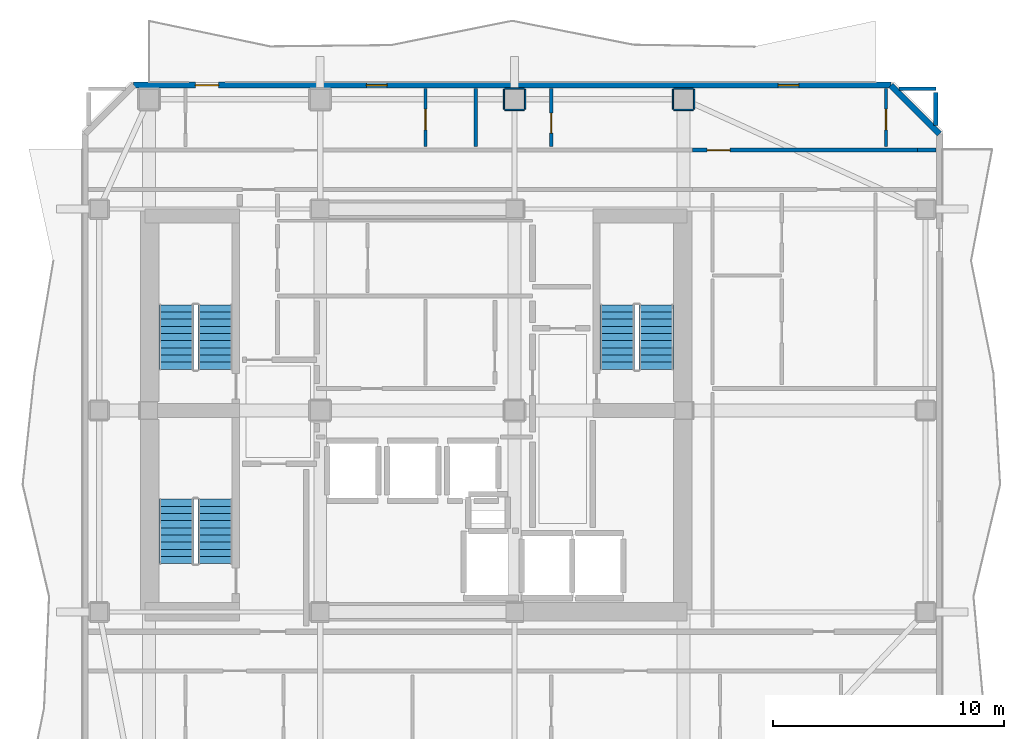
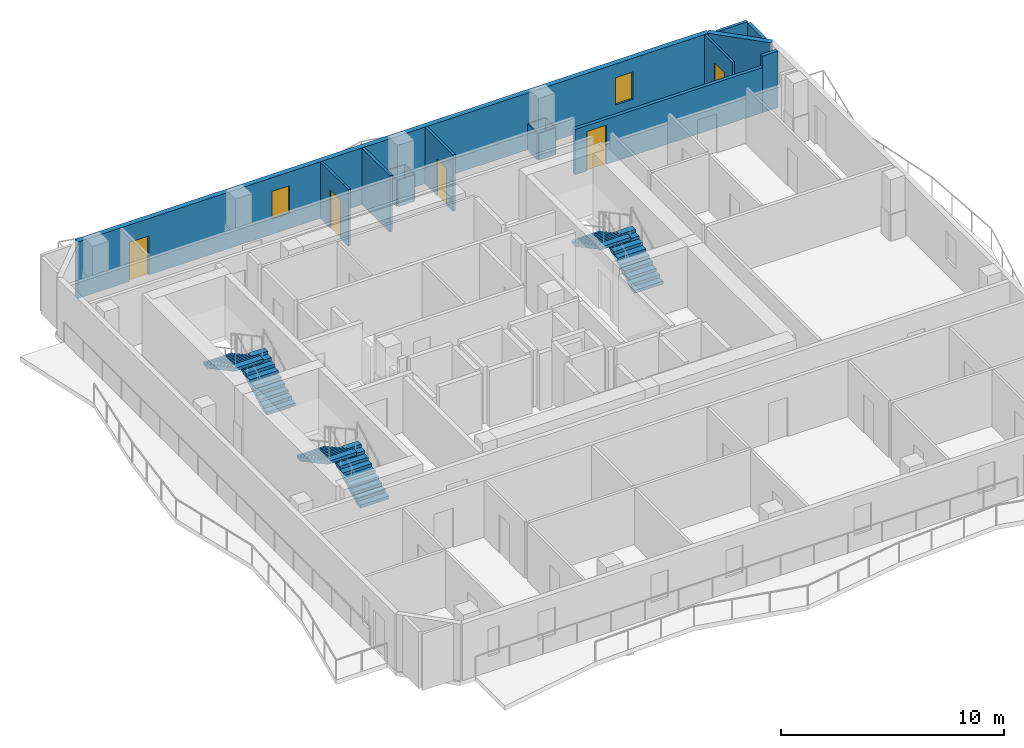
# One storey, part 6 of 9: 18 walls, 6 stair flights, 5 doors, 2 windows, 7 openings, 3 elements without a shape of their own.
"""IFC4 building model written with IfcOpenShell, lengths in metres."""

from ifc_helpers import new_model, si_unit, direction, frame, frame_2d, origin, place, context, subcontext, project, spatial, polyline, rectangle, outline, extrude, material, layer, layer_set, type_object, element, fill, aggregate, save


model = new_model("IFC4")

# Units and contexts
model_context = context("Model", 3, precision=1e-05, world=origin(), true_north=direction((0.0, 1.0)))
body_context = subcontext(model_context, "Body", "Model", "MODEL_VIEW")
ifc_project = project(units=[si_unit("LENGTHUNIT", "METRE"), si_unit("AREAUNIT", "SQUARE_METRE"), si_unit("VOLUMEUNIT", "CUBIC_METRE"), si_unit("PLANEANGLEUNIT", "RADIAN"), si_unit("MASSUNIT", "GRAM", prefix="KILO")], contexts=[model_context])

# Site, building, storey
site_placement = place(None, origin())
site = spatial("IfcSite", under=ifc_project, at=site_placement, CompositionType="ELEMENT")
building_placement = place(site_placement, origin())
building = spatial("IfcBuilding", under=site, at=building_placement, Name="Solanera Arch Residences", CompositionType="ELEMENT")
storey_placement = place(building_placement, frame((0.0, 0.0, 220.0400390625)))
storey = spatial("IfcBuildingStorey", under=building, at=storey_placement, Name="L64", CompositionType="ELEMENT", Elevation=220.0400390625)

# Walls
ifc_material_1 = material(Name="Fire-Rated Gypsum Stud Partition", Category="gypsum")
ifc_layer_1 = layer(ifc_material_1, 0.06005859375)
ifc_layer_set_1 = layer_set([ifc_layer_1], Name="Fire-Rated Gypsum Stud Partition")
wall_type_1 = type_object("IfcWallType", Name="Column Acoustic Furring Wall 60", PredefinedType="PARTITIONING", material=ifc_layer_set_1)
for number, where, z_axis, x_axis, name in (
    (1, (28.77490234375, 43.693115234375, 0.0), (0.0, 0.0, 1.0), (1.0, 0.0, 0.0), "L64 Column Furring 14S"),
    (2, (28.77490234375, 44.60693359375, 0.0), (0.0, 0.0, 1.0), (1.0, 0.0, 0.0), "L64 Column Furring 14N"),
):
    element("IfcWall", number, at=place(storey_placement, frame(where, z_axis=z_axis, x_axis=x_axis)), inside=storey, type_object=wall_type_1, Name=name, PredefinedType="PARTITIONING", context=body_context, shape_type="SweptSolid", body=[
        extrude(rectangle(XDim=0.85009765625, YDim=0.06005859375, at=frame_2d((0.425048828125, 0.0))), origin(), (0.0, 0.0, 1.0), 1.449951171875),
    ])
for number, where, z_axis, x_axis, name in (
    (3, (28.742919921875, 43.72509765625, 0.0), (0.0, 0.0, 1.0), (0.0, 1.0, 0.0), "L64 Column Furring 14W"),
    (4, (29.656982421875, 43.72509765625, 0.0), (0.0, 0.0, 1.0), (0.0, 1.0, 0.0), "L64 Column Furring 14E"),
):
    element("IfcWall", number, at=place(storey_placement, frame(where, z_axis=z_axis, x_axis=x_axis)), inside=storey, type_object=wall_type_1, Name=name, PredefinedType="PARTITIONING", context=body_context, shape_type="SweptSolid", body=[
        extrude(rectangle(XDim=0.849853515625, YDim=0.06005859375, at=frame_2d((0.4248046875, 0.0))), origin(), (0.0, 0.0, 1.0), 1.449951171875),
    ])
for number, where, z_axis, x_axis, name in (
    (5, (36.074951171875, 43.693115234375, 0.0), (0.0, 0.0, 1.0), (1.0, 0.0, 0.0), "L64 Column Furring 16S"),
    (6, (36.074951171875, 44.60693359375, 0.0), (0.0, 0.0, 1.0), (1.0, 0.0, 0.0), "L64 Column Furring 16N"),
):
    element("IfcWall", number, at=place(storey_placement, frame(where, z_axis=z_axis, x_axis=x_axis)), inside=storey, type_object=wall_type_1, Name=name, PredefinedType="PARTITIONING", context=body_context, shape_type="SweptSolid", body=[
        extrude(rectangle(XDim=0.85009765625, YDim=0.06005859375, at=frame_2d((0.425048828125, 0.0))), origin(), (0.0, 0.0, 1.0), 1.449951171875),
    ])
for number, where, z_axis, x_axis, name in (
    (7, (36.04296875, 43.72509765625, 0.0), (0.0, 0.0, 1.0), (0.0, 1.0, 0.0), "L64 Column Furring 16W"),
    (8, (36.95703125, 43.72509765625, 0.0), (0.0, 0.0, 1.0), (0.0, 1.0, 0.0), "L64 Column Furring 16E"),
):
    element("IfcWall", number, at=place(storey_placement, frame(where, z_axis=z_axis, x_axis=x_axis)), inside=storey, type_object=wall_type_1, Name=name, PredefinedType="PARTITIONING", context=body_context, shape_type="SweptSolid", body=[
        extrude(rectangle(XDim=0.849853515625, YDim=0.06005859375, at=frame_2d((0.4248046875, 0.0))), origin(), (0.0, 0.0, 1.0), 1.449951171875),
    ])

# Wall, opening, door
ifc_material_2 = material(Name="Autoclaved Aerated Concrete Blockwork", Category="masonry")
ifc_layer_2 = layer(ifc_material_2, 0.179931640625)
ifc_layer_set_2 = layer_set([ifc_layer_2], Name="Autoclaved Aerated Concrete Blockwork")
wall_type_2 = type_object("IfcWallType", Name="Corridor Fire Partition 180", PredefinedType="PARTITIONING", material=ifc_layer_set_2)
wall_1_placement = place(storey_placement, frame((36.888916015625, 41.949951171875, 0.0), z_axis=(0.0, 0.0, 1.0), x_axis=(1.0, 0.0, 0.0)))
wall_1 = element("IfcWall", 9, at=wall_1_placement, inside=storey, type_object=wall_type_2, Name="L64 Interior Partition H13 2", PredefinedType="PARTITIONING", context=body_context, shape_type="SweptSolid", body=[
    extrude(rectangle(XDim=9.72216796875, YDim=0.179931640625, at=frame_2d((4.861083984375, 0.0))), origin(), (0.0, 0.0, 1.0), 2.47705078125),
])
opening_1_placement = place(wall_1_placement, frame((0.6259765625, 0.0, 0.0)))
opening_1 = element("IfcOpeningElement", 10, at=opening_1_placement, cuts=wall_1, Name="Opening DI-01", PredefinedType="OPENING", context=body_context, shape_type="SweptSolid", body=[
    extrude(rectangle(XDim=1.0, YDim=2.14990234375, at=frame_2d((0.5, 1.074951171875))), frame((0.0, 0.10009765625, 0.0), z_axis=(0.0, -1.0, 0.0), x_axis=(1.0, 0.0, 0.0)), (0.0, 0.0, 1.0), 0.1999),
])
ifc_material_3 = material(Name="Fire-Rated Architectural Hardwood", Category="wood")
door_type_1 = type_object("IfcDoorType", Name="Unit Entrance Fire Door DI-01", OperationType="NOTDEFINED", PredefinedType="DOOR", material=ifc_material_3)
door_1_placement = place(opening_1_placement, origin())
door_1 = element("IfcDoor", 11, at=door_1_placement, inside=storey, type_object=door_type_1, Name="DR-L64-IN-029", OperationType="SINGLE_SWING_RIGHT", OverallHeight=2.14990234375, OverallWidth=1.0, PredefinedType="DOOR", context=body_context, shape_type="SweptSolid", body=[
    extrude(rectangle(XDim=1.0, YDim=2.14990234375, at=frame_2d((0.5, 1.074951171875))), frame((0.0, 0.02490234375, 0.0), z_axis=(0.0, -1.0, 0.0), x_axis=(1.0, 0.0, 0.0)), (0.0, 0.0, 1.0), 0.050048828125),
])
fill(opening_1, door_1)

# Walls
wall_2_placement = place(storey_placement, frame((46.611083984375, 41.949951171875, 0.0), z_axis=(0.0, 0.0, 1.0), x_axis=(1.0, 0.0, 0.0)))
element("IfcWall", 12, at=wall_2_placement, inside=storey, type_object=wall_type_2, Name="L64 Interior Partition H13 3", PredefinedType="PARTITIONING", context=body_context, shape_type="SweptSolid", body=[
    extrude(rectangle(XDim=0.802001953125, YDim=0.179931640625, at=frame_2d((0.40087890625, 0.0))), origin(), (0.0, 0.0, 1.0), 3.099853515625),
])
wall_3_placement = place(storey_placement, frame((47.39990234375, 43.010986328125, 0.0), z_axis=(0.0, 0.0, 1.0), x_axis=(0.0, 1.0, 0.0)))
element("IfcWall", 13, at=wall_3_placement, inside=storey, type_object=wall_type_2, Name="L64 Interior Partition V10 2", PredefinedType="PARTITIONING", context=body_context, shape_type="SweptSolid", body=[
    extrude(rectangle(XDim=1.4208984375, YDim=0.179931640625, at=frame_2d((0.71044921875, 0.0))), origin(), (0.0, 0.0, 1.0), 3.099853515625),
])

# Wall, openings, door, windows
ifc_material_4 = material(Name="Precast Concrete C35/45", Category="concrete")
ifc_layer_3 = layer(ifc_material_4, 0.260009765625)
ifc_layer_set_3 = layer_set([ifc_layer_3], Name="Precast Concrete C35/45")
wall_type_3 = type_object("IfcWallType", Name="Exterior Wall Precast Masonry-Frame 260", PredefinedType="STANDARD", material=ifc_layer_set_3)
wall_4_placement = place(storey_placement, frame((12.7451171875, 44.7548828125, 0.0), z_axis=(0.0, 0.0, 1.0), x_axis=(1.0, 0.0, 0.0)))
wall_4 = element("IfcWall", 14, at=wall_4_placement, inside=storey, type_object=wall_type_3, Name="L64 Tower Exterior Precast Masonry-Frame Wall N", PredefinedType="STANDARD", context=body_context, shape_type="SweptSolid", body=[
    extrude(rectangle(XDim=32.7099609375, YDim=0.260009765625, at=frame_2d((16.35498046875, 0.0))), origin(), (0.0, 0.0, 1.0), 3.099853515625),
])
opening_2_placement = place(wall_4_placement, frame((2.6650390625, 0.0, 0.0)))
opening_2 = element("IfcOpeningElement", 15, at=opening_2_placement, cuts=wall_4, Name="Opening DB-01", PredefinedType="OPENING", context=body_context, shape_type="SweptSolid", body=[
    extrude(rectangle(XDim=1.0, YDim=2.14990234375, at=frame_2d((0.5, 1.074951171875))), frame((0.0, 0.139892578125, 0.0), z_axis=(0.0, -1.0, 0.0), x_axis=(1.0, 0.0, 0.0)), (0.0, 0.0, 1.0), 0.28),
])
opening_3_placement = place(wall_4_placement, frame((10.052978515625, 0.0, 0.85009765625)))
opening_3 = element("IfcOpeningElement", 16, at=opening_3_placement, cuts=wall_4, Name="Opening W-06", PredefinedType="OPENING", context=body_context, shape_type="SweptSolid", body=[
    extrude(rectangle(XDim=0.89990234375, YDim=1.5, at=frame_2d((0.449951171875, 0.75))), frame((0.0, 0.139892578125, 0.0), z_axis=(0.0, -1.0, 0.0), x_axis=(1.0, 0.0, 0.0)), (0.0, 0.0, 1.0), 0.28),
])
opening_4_placement = place(wall_4_placement, frame((27.842041015625, 0.0, 0.85009765625)))
opening_4 = element("IfcOpeningElement", 17, at=opening_4_placement, cuts=wall_4, Name="Opening W-06", PredefinedType="OPENING", context=body_context, shape_type="SweptSolid", body=[
    extrude(rectangle(XDim=0.89990234375, YDim=1.5, at=frame_2d((0.449951171875, 0.75))), frame((0.0, 0.139892578125, 0.0), z_axis=(0.0, -1.0, 0.0), x_axis=(1.0, 0.0, 0.0)), (0.0, 0.0, 1.0), 0.28),
])
ifc_material_5 = material(Name="Anodised Aluminium Alloy 6063-T6", Category="aluminium")
door_type_2 = type_object("IfcDoorType", Name="Glazed Balcony Swing Door DB-01", OperationType="NOTDEFINED", PredefinedType="DOOR", material=ifc_material_5)
door_2_placement = place(opening_2_placement, origin())
door_2 = element("IfcDoor", 18, at=door_2_placement, inside=storey, type_object=door_type_2, Name="DR-L64-OUT-02", OperationType="SINGLE_SWING_LEFT", OverallHeight=2.14990234375, OverallWidth=1.0, PredefinedType="DOOR", context=body_context, shape_type="SweptSolid", body=[
    extrude(rectangle(XDim=1.0, YDim=2.14990234375, at=frame_2d((0.5, 1.074951171875))), frame((0.0, 0.02490234375, 0.0), z_axis=(0.0, -1.0, 0.0), x_axis=(1.0, 0.0, 0.0)), (0.0, 0.0, 1.0), 0.050048828125),
])
fill(opening_2, door_2)
ifc_material_6 = material(Name="Double Glazed Low-E Laminated Glass", Category="glass")
window_type = type_object("IfcWindowType", Name="Punched Window W-06", PartitioningType="SINGLE_PANEL", PredefinedType="WINDOW", material=ifc_material_6)
window_1_placement = place(opening_3_placement, origin())
window_1 = element("IfcWindow", 19, at=window_1_placement, inside=storey, type_object=window_type, Name="L64 6403-LIV Punched Window", OverallHeight=1.5, OverallWidth=0.89990234375, PartitioningType="SINGLE_PANEL", PredefinedType="WINDOW", context=body_context, shape_type="SweptSolid", body=[
    extrude(rectangle(XDim=0.89990234375, YDim=1.5, at=frame_2d((0.449951171875, 0.75))), frame((0.0, 0.030029296875, 0.0), z_axis=(0.0, -1.0, 0.0), x_axis=(1.0, 0.0, 0.0)), (0.0, 0.0, 1.0), 0.06005859375),
])
fill(opening_3, window_1)
window_2_placement = place(opening_4_placement, origin())
window_2 = element("IfcWindow", 20, at=window_2_placement, inside=storey, type_object=window_type, Name="L64 6404-LIV Punched Window", OverallHeight=1.5, OverallWidth=0.89990234375, PartitioningType="SINGLE_PANEL", PredefinedType="WINDOW", context=body_context, shape_type="SweptSolid", body=[
    extrude(rectangle(XDim=0.89990234375, YDim=1.5, at=frame_2d((0.449951171875, 0.75))), frame((0.0, 0.030029296875, 0.0), z_axis=(0.0, -1.0, 0.0), x_axis=(1.0, 0.0, 0.0)), (0.0, 0.0, 1.0), 0.06005859375),
])
fill(opening_4, window_2)

# Wall
wall_5_placement = place(storey_placement, frame((45.455078125, 44.7548828125, 0.0), z_axis=(0.0, 0.0, 1.0), x_axis=(0.707106781187, -0.707106781187, 0.0)))
element("IfcWall", 21, at=wall_5_placement, inside=storey, type_object=wall_type_3, Name="L64 Tower Exterior Precast Masonry-Frame Wall CH3", PredefinedType="STANDARD", context=body_context, shape_type="SweptSolid", body=[
    extrude(rectangle(XDim=2.9697265625, YDim=0.260009765625, at=frame_2d((1.48486328125, 0.0))), origin(), (0.0, 0.0, 1.0), 3.099853515625),
])

# Wall, opening, door
ifc_material_7 = material(Name="Fire-Rated Gypsum Stud Partition", Category="gypsum")
ifc_layer_4 = layer(ifc_material_7, 0.1201171875)
ifc_layer_set_4 = layer_set([ifc_layer_4], Name="Fire-Rated Gypsum Stud Partition")
wall_type_4 = type_object("IfcWallType", Name="Unit Drywall Partition 120", PredefinedType="PARTITIONING", material=ifc_layer_set_4)
wall_6_placement = place(storey_placement, frame((25.35009765625, 42.10791015625, 0.0), z_axis=(0.0, 0.0, 1.0), x_axis=(0.0, 1.0, 0.0)))
wall_6 = element("IfcWall", 22, at=wall_6_placement, inside=storey, type_object=wall_type_4, Name="L64 Interior Partition V22", PredefinedType="PARTITIONING", context=body_context, shape_type="SweptSolid", body=[
    extrude(rectangle(XDim=2.505126953125, YDim=0.1201171875, at=frame_2d((1.25244140625, 0.0))), origin(), (0.0, 0.0, 1.0), 3.099853515625),
])
opening_5_placement = place(wall_6_placement, frame((0.717041015625, 0.0, 0.0)))
opening_5 = element("IfcOpeningElement", 23, at=opening_5_placement, cuts=wall_6, Name="Opening DI-02", PredefinedType="OPENING", context=body_context, shape_type="SweptSolid", body=[
    extrude(rectangle(XDim=0.89990234375, YDim=2.10009765625, at=frame_2d((0.449951171875, 1.050048828125))), frame((0.0, 0.070068359375, 0.0), z_axis=(0.0, -1.0, 0.0), x_axis=(1.0, 0.0, 0.0)), (0.0, 0.0, 1.0), 0.1401),
])
ifc_material_8 = material(Name="Fire-Rated Architectural Hardwood", Category="wood")
door_type_3 = type_object("IfcDoorType", Name="Suite Room Swing Door DI-02", OperationType="NOTDEFINED", PredefinedType="DOOR", material=ifc_material_8)
door_3_placement = place(opening_5_placement, origin())
door_3 = element("IfcDoor", 24, at=door_3_placement, inside=storey, type_object=door_type_3, Name="DR-L64-IN-028", OperationType="SINGLE_SWING_LEFT", OverallHeight=2.10009765625, OverallWidth=0.89990234375, PredefinedType="DOOR", context=body_context, shape_type="SweptSolid", body=[
    extrude(rectangle(XDim=0.89990234375, YDim=2.10009765625, at=frame_2d((0.449951171875, 1.050048828125))), frame((0.0, 0.02490234375, 0.0), z_axis=(0.0, -1.0, 0.0), x_axis=(1.0, 0.0, 0.0)), (0.0, 0.0, 1.0), 0.050048828125),
])
fill(opening_5, door_3)

wall_7_placement = place(storey_placement, frame((45.25, 42.10791015625, 0.0), z_axis=(0.0, 0.0, 1.0), x_axis=(0.0, 1.0, 0.0)))
wall_7 = element("IfcWall", 25, at=wall_7_placement, inside=storey, type_object=wall_type_4, Name="L64 Interior Partition V26", PredefinedType="PARTITIONING", context=body_context, shape_type="SweptSolid", body=[
    extrude(rectangle(XDim=2.505126953125, YDim=0.1201171875, at=frame_2d((1.25244140625, 0.0))), origin(), (0.0, 0.0, 1.0), 3.099853515625),
])
opening_6_placement = place(wall_7_placement, frame((0.717041015625, 0.0, 0.0)))
opening_6 = element("IfcOpeningElement", 26, at=opening_6_placement, cuts=wall_7, Name="Opening DI-02", PredefinedType="OPENING", context=body_context, shape_type="SweptSolid", body=[
    extrude(rectangle(XDim=0.89990234375, YDim=2.10009765625, at=frame_2d((0.449951171875, 1.050048828125))), frame((0.0, 0.070068359375, 0.0), z_axis=(0.0, -1.0, 0.0), x_axis=(1.0, 0.0, 0.0)), (0.0, 0.0, 1.0), 0.1401),
])
door_4_placement = place(opening_6_placement, origin())
door_4 = element("IfcDoor", 27, at=door_4_placement, inside=storey, type_object=door_type_3, Name="DR-L64-IN-031", OperationType="SINGLE_SWING_RIGHT", OverallHeight=2.10009765625, OverallWidth=0.89990234375, PredefinedType="DOOR", context=body_context, shape_type="SweptSolid", body=[
    extrude(rectangle(XDim=0.89990234375, YDim=2.10009765625, at=frame_2d((0.449951171875, 1.050048828125))), frame((0.0, 0.02490234375, 0.0), z_axis=(0.0, -1.0, 0.0), x_axis=(1.0, 0.0, 0.0)), (0.0, 0.0, 1.0), 0.050048828125),
])
fill(opening_6, door_4)

# Walls
ifc_material_9 = material(Name="Autoclaved Aerated Concrete Blockwork", Category="masonry")
ifc_layer_5 = layer(ifc_material_9, 0.139892578125)
ifc_layer_set_5 = layer_set([ifc_layer_5], Name="Autoclaved Aerated Concrete Blockwork")
wall_type_5 = type_object("IfcWallType", Name="Wet-Room Partition 140", PredefinedType="PARTITIONING", material=ifc_layer_set_5)
wall_8_placement = place(storey_placement, frame((45.81103515625, 44.60009765625, 0.0), z_axis=(0.0, 0.0, 1.0), x_axis=(1.0, 0.0, 0.0)))
element("IfcWall", 28, at=wall_8_placement, inside=storey, type_object=wall_type_5, Name="L64 Interior Partition H18 2", PredefinedType="PARTITIONING", context=body_context, shape_type="SweptSolid", body=[
    extrude(rectangle(XDim=1.5888671875, YDim=0.139892578125, at=frame_2d((0.79443359375, 0.0))), origin(), (0.0, 0.0, 1.0), 3.099853515625),
])
wall_9_placement = place(storey_placement, frame((27.52001953125, 42.117919921875, 0.0), z_axis=(0.0, 0.0, 1.0), x_axis=(0.0, 1.0, 0.0)))
element("IfcWall", 29, at=wall_9_placement, inside=storey, type_object=wall_type_5, Name="L64 Interior Partition V14", PredefinedType="PARTITIONING", context=body_context, shape_type="SweptSolid", body=[
    extrude(rectangle(XDim=2.4951171875, YDim=0.139892578125, at=frame_2d((1.24755859375, 0.0))), origin(), (0.0, 0.0, 1.0), 3.099853515625),
])

# Wall, opening, door
wall_10_placement = place(storey_placement, frame((30.780029296875, 42.117919921875, 0.0), z_axis=(0.0, 0.0, 1.0), x_axis=(0.0, 1.0, 0.0)))
wall_10 = element("IfcWall", 30, at=wall_10_placement, inside=storey, type_object=wall_type_5, Name="L64 Interior Partition V16", PredefinedType="PARTITIONING", context=body_context, shape_type="SweptSolid", body=[
    extrude(rectangle(XDim=2.4951171875, YDim=0.139892578125, at=frame_2d((1.24755859375, 0.0))), origin(), (0.0, 0.0, 1.0), 3.099853515625),
])
opening_7_placement = place(wall_10_placement, frame((0.56689453125, 0.0, 0.0)))
opening_7 = element("IfcOpeningElement", 31, at=opening_7_placement, cuts=wall_10, Name="Opening DI-05", PredefinedType="OPENING", context=body_context, shape_type="SweptSolid", body=[
    extrude(rectangle(XDim=0.860107421875, YDim=2.02001953125, at=frame_2d((0.43017578125, 1.010009765625))), frame((0.0, 0.079833984375, 0.0), z_axis=(0.0, -1.0, 0.0), x_axis=(1.0, 0.0, 0.0)), (0.0, 0.0, 1.0), 0.1599),
])
ifc_material_10 = material(Name="Fire-Rated Architectural Hardwood", Category="wood")
door_type_4 = type_object("IfcDoorType", Name="Bathroom Swing Door DI-05", OperationType="NOTDEFINED", PredefinedType="DOOR", material=ifc_material_10)
door_5_placement = place(opening_7_placement, origin())
door_5 = element("IfcDoor", 32, at=door_5_placement, inside=storey, type_object=door_type_4, Name="DR-L64-IN-030", OperationType="SINGLE_SWING_LEFT", OverallHeight=2.02001953125, OverallWidth=0.860107421875, PredefinedType="DOOR", context=body_context, shape_type="SweptSolid", body=[
    extrude(rectangle(XDim=0.860107421875, YDim=2.02001953125, at=frame_2d((0.43017578125, 1.010009765625))), frame((0.0, 0.02490234375, 0.0), z_axis=(0.0, -1.0, 0.0), x_axis=(1.0, 0.0, 0.0)), (0.0, 0.0, 1.0), 0.050048828125),
])
fill(opening_7, door_5)

# Stair, stair flights
ifc_material_11 = material(Name="Concrete C40/50 (f'c = 45 MPa)", Category="concrete")
stair_type = type_object("IfcStairType", Name="Tower Dogleg Exit Stair 1480", PredefinedType="HALF_TURN_STAIR", material=ifc_material_11)
stair_1_placement = place(storey_placement, origin())
stair_1 = element("IfcStair", 33, at=stair_1_placement, inside=storey, type_object=stair_type, Name="L64 Tower Core Exit Stair 1", PredefinedType="HALF_TURN_STAIR")
ifc_material_12 = material(Name="Concrete C40/50 (f'c = 45 MPa)", Category="concrete")
stair_flight_type = type_object("IfcStairFlightType", Name="Tower Precast Stair Flight 1480", PredefinedType="STRAIGHT", material=ifc_material_12)
stair_flight_1_placement = place(storey_placement, frame((16.260009765625, 32.47998046875, 0.0), z_axis=(0.0, 0.0, 1.0), x_axis=(0.0, 1.0, 0.0)))
stair_flight_1 = element("IfcStairFlight", 34, at=stair_flight_1_placement, type_object=stair_flight_type, Name="ST-T1 flight 1", NumberOfRisers=10, NumberOfTreads=9, PredefinedType="STRAIGHT", RiserHeight=0.166, TreadLength=0.31, context=body_context, shape_type="SweptSolid", body=[
    extrude(outline(polyline([(0.0, 0.0), (0.0, 0.166015625), (0.31005859375, 0.166015625), (0.31005859375, 0.33203125), (0.6201171875, 0.33203125), (0.6201171875, 0.498046875), (0.929931640625, 0.498046875), (0.929931640625, 0.6640625), (1.239990234375, 0.6640625), (1.239990234375, 0.830078125), (1.550048828125, 0.830078125), (1.550048828125, 0.99609375), (1.860107421875, 0.99609375), (1.860107421875, 1.162109375), (2.169921875, 1.162109375), (2.169921875, 1.327880859375), (2.47998046875, 1.327880859375), (2.47998046875, 1.493896484375), (2.7900390625, 1.493896484375), (2.7900390625, 1.659912109375), (2.7900390625, 1.323974609375), (0.317626953125, 0.0), (0.0, 0.0)])), frame((0.0, 0.739990234375, 0.0), z_axis=(0.0, -1.0, 0.0), x_axis=(1.0, 0.0, 0.0)), (0.0, 0.0, 1.0), 1.47998046875),
])
stair_flight_2_placement = place(storey_placement, frame((14.580078125, 35.27001953125, 1.659912109375), z_axis=(0.0, 0.0, 1.0), x_axis=(0.0, -1.0, 0.0)))
stair_flight_2 = element("IfcStairFlight", 35, at=stair_flight_2_placement, type_object=stair_flight_type, Name="ST-T1 flight 2", NumberOfRisers=10, NumberOfTreads=9, PredefinedType="STRAIGHT", RiserHeight=0.166, TreadLength=0.31, context=body_context, shape_type="SweptSolid", body=[
    extrude(outline(polyline([(0.0, 0.0), (0.0, 0.166015625), (0.31005859375, 0.166015625), (0.31005859375, 0.33203125), (0.6201171875, 0.33203125), (0.6201171875, 0.498046875), (0.929931640625, 0.498046875), (0.929931640625, 0.6640625), (1.239990234375, 0.6640625), (1.239990234375, 0.830078125), (1.550048828125, 0.830078125), (1.550048828125, 0.99609375), (1.860107421875, 0.99609375), (1.860107421875, 1.162109375), (2.169921875, 1.162109375), (2.169921875, 1.327880859375), (2.47998046875, 1.327880859375), (2.47998046875, 1.493896484375), (2.7900390625, 1.493896484375), (2.7900390625, 1.659912109375), (2.7900390625, 1.323974609375), (0.317626953125, 0.0), (0.0, 0.0)])), frame((0.0, 0.739990234375, 0.0), z_axis=(0.0, -1.0, 0.0), x_axis=(1.0, 0.0, 0.0)), (0.0, 0.0, 1.0), 1.47998046875),
])
aggregate(stair_1, [stair_flight_1, stair_flight_2])

stair_2_placement = place(storey_placement, origin())
stair_2 = element("IfcStair", 36, at=stair_2_placement, inside=storey, type_object=stair_type, Name="L64 Tower Core Exit Stair 2", PredefinedType="HALF_TURN_STAIR")
stair_flight_3_placement = place(storey_placement, frame((35.320068359375, 32.47998046875, 0.0), z_axis=(0.0, 0.0, 1.0), x_axis=(0.0, 1.0, 0.0)))
stair_flight_3 = element("IfcStairFlight", 37, at=stair_flight_3_placement, type_object=stair_flight_type, Name="ST-T2 flight 1", NumberOfRisers=10, NumberOfTreads=9, PredefinedType="STRAIGHT", RiserHeight=0.166, TreadLength=0.31, context=body_context, shape_type="SweptSolid", body=[
    extrude(outline(polyline([(0.0, 0.0), (0.0, 0.166015625), (0.31005859375, 0.166015625), (0.31005859375, 0.33203125), (0.6201171875, 0.33203125), (0.6201171875, 0.498046875), (0.929931640625, 0.498046875), (0.929931640625, 0.6640625), (1.239990234375, 0.6640625), (1.239990234375, 0.830078125), (1.550048828125, 0.830078125), (1.550048828125, 0.99609375), (1.860107421875, 0.99609375), (1.860107421875, 1.162109375), (2.169921875, 1.162109375), (2.169921875, 1.327880859375), (2.47998046875, 1.327880859375), (2.47998046875, 1.493896484375), (2.7900390625, 1.493896484375), (2.7900390625, 1.659912109375), (2.7900390625, 1.323974609375), (0.317626953125, 0.0), (0.0, 0.0)])), frame((0.0, 0.739990234375, 0.0), z_axis=(0.0, -1.0, 0.0), x_axis=(1.0, 0.0, 0.0)), (0.0, 0.0, 1.0), 1.47998046875),
])
stair_flight_4_placement = place(storey_placement, frame((33.639892578125, 35.27001953125, 1.659912109375), z_axis=(0.0, 0.0, 1.0), x_axis=(0.0, -1.0, 0.0)))
stair_flight_4 = element("IfcStairFlight", 38, at=stair_flight_4_placement, type_object=stair_flight_type, Name="ST-T2 flight 2", NumberOfRisers=10, NumberOfTreads=9, PredefinedType="STRAIGHT", RiserHeight=0.166, TreadLength=0.31, context=body_context, shape_type="SweptSolid", body=[
    extrude(outline(polyline([(0.0, 0.0), (0.0, 0.166015625), (0.31005859375, 0.166015625), (0.31005859375, 0.33203125), (0.6201171875, 0.33203125), (0.6201171875, 0.498046875), (0.929931640625, 0.498046875), (0.929931640625, 0.6640625), (1.239990234375, 0.6640625), (1.239990234375, 0.830078125), (1.550048828125, 0.830078125), (1.550048828125, 0.99609375), (1.860107421875, 0.99609375), (1.860107421875, 1.162109375), (2.169921875, 1.162109375), (2.169921875, 1.327880859375), (2.47998046875, 1.327880859375), (2.47998046875, 1.493896484375), (2.7900390625, 1.493896484375), (2.7900390625, 1.659912109375), (2.7900390625, 1.323974609375), (0.317626953125, 0.0), (0.0, 0.0)])), frame((0.0, 0.739990234375, 0.0), z_axis=(0.0, -1.0, 0.0), x_axis=(1.0, 0.0, 0.0)), (0.0, 0.0, 1.0), 1.47998046875),
])
aggregate(stair_2, [stair_flight_3, stair_flight_4])

stair_3_placement = place(storey_placement, origin())
stair_3 = element("IfcStair", 39, at=stair_3_placement, inside=storey, type_object=stair_type, Name="L64 Tower Core Exit Stair 3", PredefinedType="HALF_TURN_STAIR")
stair_flight_5_placement = place(storey_placement, frame((16.260009765625, 24.080078125, 0.0), z_axis=(0.0, 0.0, 1.0), x_axis=(0.0, 1.0, 0.0)))
stair_flight_5 = element("IfcStairFlight", 40, at=stair_flight_5_placement, type_object=stair_flight_type, Name="ST-T3 flight 1", NumberOfRisers=10, NumberOfTreads=9, PredefinedType="STRAIGHT", RiserHeight=0.166, TreadLength=0.31, context=body_context, shape_type="SweptSolid", body=[
    extrude(outline(polyline([(0.0, 0.0), (0.0, 0.166015625), (0.31005859375, 0.166015625), (0.31005859375, 0.33203125), (0.6201171875, 0.33203125), (0.6201171875, 0.498046875), (0.929931640625, 0.498046875), (0.929931640625, 0.6640625), (1.239990234375, 0.6640625), (1.239990234375, 0.830078125), (1.550048828125, 0.830078125), (1.550048828125, 0.99609375), (1.860107421875, 0.99609375), (1.860107421875, 1.162109375), (2.169921875, 1.162109375), (2.169921875, 1.327880859375), (2.47998046875, 1.327880859375), (2.47998046875, 1.493896484375), (2.7900390625, 1.493896484375), (2.7900390625, 1.659912109375), (2.7900390625, 1.323974609375), (0.317626953125, 0.0), (0.0, 0.0)])), frame((0.0, 0.739990234375, 0.0), z_axis=(0.0, -1.0, 0.0), x_axis=(1.0, 0.0, 0.0)), (0.0, 0.0, 1.0), 1.47998046875),
])
stair_flight_6_placement = place(storey_placement, frame((14.580078125, 26.8701171875, 1.659912109375), z_axis=(0.0, 0.0, 1.0), x_axis=(0.0, -1.0, 0.0)))
stair_flight_6 = element("IfcStairFlight", 41, at=stair_flight_6_placement, type_object=stair_flight_type, Name="ST-T3 flight 2", NumberOfRisers=10, NumberOfTreads=9, PredefinedType="STRAIGHT", RiserHeight=0.166, TreadLength=0.31, context=body_context, shape_type="SweptSolid", body=[
    extrude(outline(polyline([(0.0, 0.0), (0.0, 0.166015625), (0.31005859375, 0.166015625), (0.31005859375, 0.33203125), (0.6201171875, 0.33203125), (0.6201171875, 0.498046875), (0.929931640625, 0.498046875), (0.929931640625, 0.6640625), (1.239990234375, 0.6640625), (1.239990234375, 0.830078125), (1.550048828125, 0.830078125), (1.550048828125, 0.99609375), (1.860107421875, 0.99609375), (1.860107421875, 1.162109375), (2.169921875, 1.162109375), (2.169921875, 1.327880859375), (2.47998046875, 1.327880859375), (2.47998046875, 1.493896484375), (2.7900390625, 1.493896484375), (2.7900390625, 1.659912109375), (2.7900390625, 1.323974609375), (0.317626953125, 0.0), (0.0, 0.0)])), frame((0.0, 0.739990234375, 0.0), z_axis=(0.0, -1.0, 0.0), x_axis=(1.0, 0.0, 0.0)), (0.0, 0.0, 1.0), 1.47998046875),
])
aggregate(stair_3, [stair_flight_5, stair_flight_6])

save(model, "model.ifc")
